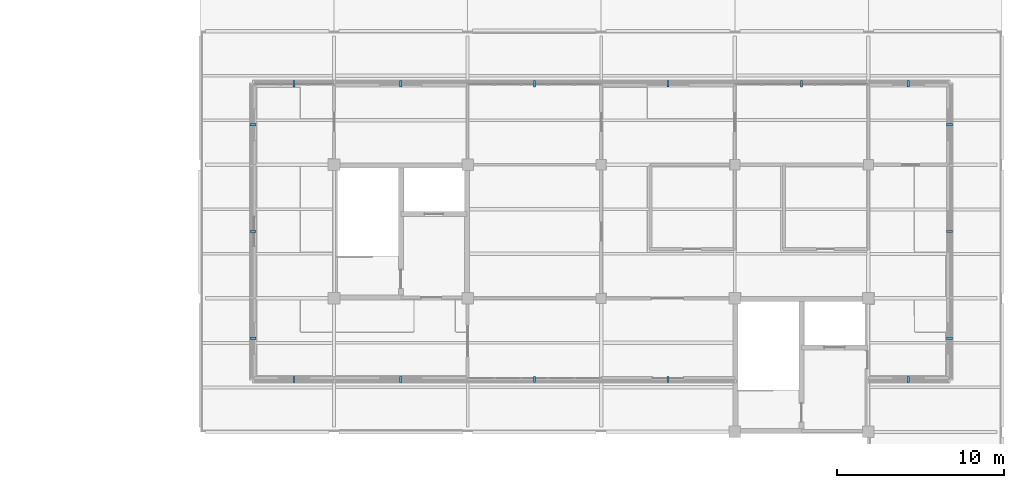
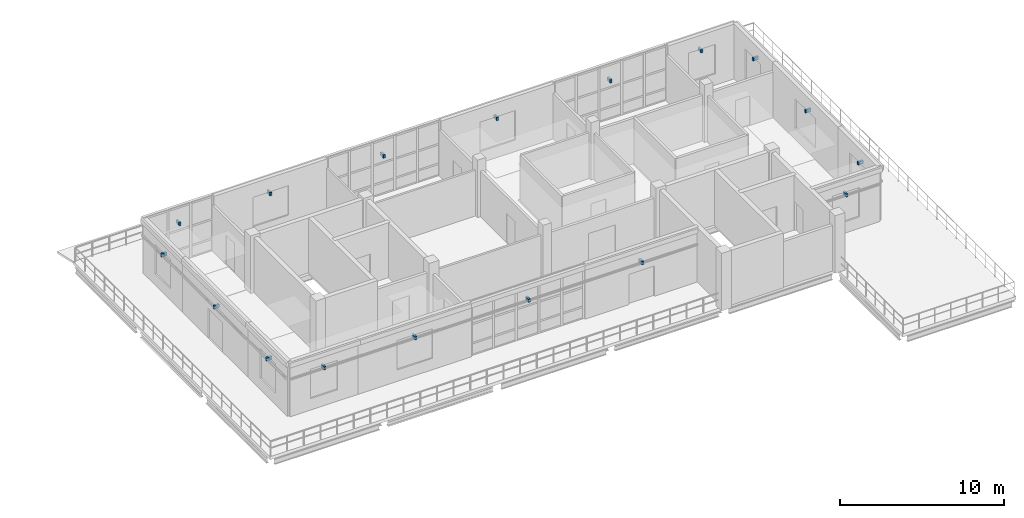
# One storey, part 20 of 24: 17 discrete accessories.
"""IFC4 building model written with IfcOpenShell, lengths in metres."""

from ifc_helpers import new_model, si_unit, derived_unit, direction, frame, origin, origin_2d, place, context, subcontext, project, spatial, rectangle, extrude, material, type_object, element, save


model = new_model("IFC4")

# Units and contexts
model_context = context("Model", 3, precision=1e-05, world=origin(), true_north=direction((0.0, 1.0)))
body_context = subcontext(model_context, "Body", "Model", "MODEL_VIEW")
ifc_project = project(units=[si_unit("LENGTHUNIT", "METRE"), si_unit("AREAUNIT", "SQUARE_METRE"), si_unit("VOLUMEUNIT", "CUBIC_METRE"), si_unit("PLANEANGLEUNIT", "RADIAN"), si_unit("MASSUNIT", "GRAM", prefix="KILO"), derived_unit("THERMALTRANSMITTANCEUNIT", [(si_unit("MASSUNIT", "GRAM", prefix="KILO"), 1), (si_unit("TIMEUNIT", "SECOND"), -3), (si_unit("THERMODYNAMICTEMPERATUREUNIT", "KELVIN"), -1)])], contexts=[model_context])

# Site, building, storey
site_placement = place(None, origin())
site = spatial("IfcSite", under=ifc_project, at=site_placement, CompositionType="ELEMENT")
building_placement = place(site_placement, origin())
building = spatial("IfcBuilding", under=site, at=building_placement, Name="Veyamyaing Civic Hall", CompositionType="ELEMENT")
storey_placement = place(building_placement, frame((0.0, 0.0, 25.739990234375)))
storey = spatial("IfcBuildingStorey", under=building, at=storey_placement, Name="L06", CompositionType="ELEMENT", Elevation=25.739990234375)

# Discrete accessories
ifc_material = material(Name="Steel S355J2", Category="steel")
discrete_accessory_type = type_object("IfcDiscreteAccessoryType", Name="BK-01", PredefinedType="BRACKET", material=ifc_material)
for number, where, z_axis, x_axis, name in (
    (1, (133.60009765625, 91.139892578125, 2.72998046875), (0.0, 0.0, 1.0), (0.0, -1.0, 0.0), "Ribbon bracket BK-01 L06-NE-S-0"),
    (2, (140.0, 91.139892578125, 2.72998046875), (0.0, 0.0, 1.0), (0.0, -1.0, 0.0), "Ribbon bracket BK-01 L06-NE-S-1"),
    (3, (148.0, 91.139892578125, 2.72998046875), (0.0, 0.0, 1.0), (0.0, -1.0, 0.0), "Ribbon bracket BK-01 L06-NE-S-2"),
    (4, (156.0, 91.139892578125, 2.72998046875), (0.0, 0.0, 1.0), (0.0, -1.0, 0.0), "Ribbon bracket BK-01 L06-NE-S-3"),
    (5, (170.39990234375, 91.139892578125, 2.72998046875), (0.0, 0.0, 1.0), (0.0, -1.0, 0.0), "Ribbon bracket BK-01 L06-NE-S-5"),
    (6, (133.60009765625, 108.860107421875, 2.72998046875), (0.0, 0.0, 1.0), (0.0, 1.0, 0.0), "Ribbon bracket BK-01 L06-NE-N-0"),
    (7, (140.0, 108.860107421875, 2.72998046875), (0.0, 0.0, 1.0), (0.0, 1.0, 0.0), "Ribbon bracket BK-01 L06-NE-N-1"),
    (8, (148.0, 108.860107421875, 2.72998046875), (0.0, 0.0, 1.0), (0.0, 1.0, 0.0), "Ribbon bracket BK-01 L06-NE-N-2"),
    (9, (156.0, 108.860107421875, 2.72998046875), (0.0, 0.0, 1.0), (0.0, 1.0, 0.0), "Ribbon bracket BK-01 L06-NE-N-3"),
    (10, (164.0, 108.860107421875, 2.72998046875), (0.0, 0.0, 1.0), (0.0, 1.0, 0.0), "Ribbon bracket BK-01 L06-NE-N-4"),
    (11, (170.39990234375, 108.860107421875, 2.72998046875), (0.0, 0.0, 1.0), (0.0, 1.0, 0.0), "Ribbon bracket BK-01 L06-NE-N-5"),
    (12, (131.139892578125, 93.60009765625, 2.72998046875), (0.0, 0.0, 1.0), (-1.0, 0.0, 0.0), "Ribbon bracket BK-01 L06-NE-W-0"),
    (13, (131.139892578125, 100.0, 2.72998046875), (0.0, 0.0, 1.0), (-1.0, 0.0, 0.0), "Ribbon bracket BK-01 L06-NE-W-1"),
    (14, (131.139892578125, 106.39990234375, 2.72998046875), (0.0, 0.0, 1.0), (-1.0, 0.0, 0.0), "Ribbon bracket BK-01 L06-NE-W-2"),
    (15, (172.860107421875, 93.60009765625, 2.72998046875), (0.0, 0.0, 1.0), (1.0, 0.0, 0.0), "Ribbon bracket BK-01 L06-NE-E-0"),
    (16, (172.860107421875, 100.0, 2.72998046875), (0.0, 0.0, 1.0), (1.0, 0.0, 0.0), "Ribbon bracket BK-01 L06-NE-E-1"),
    (17, (172.860107421875, 106.39990234375, 2.72998046875), (0.0, 0.0, 1.0), (1.0, 0.0, 0.0), "Ribbon bracket BK-01 L06-NE-E-2"),
):
    element("IfcDiscreteAccessory", number, at=place(storey_placement, frame(where, z_axis=z_axis, x_axis=x_axis)), inside=storey, type_object=discrete_accessory_type, Name=name, PredefinedType="BRACKET", context=body_context, shape_type="SweptSolid", body=[
        extrude(rectangle(XDim=0.3798828125, YDim=0.139892578125, at=origin_2d()), origin(), (0.0, 0.0, 1.0), 0.239990234375),
    ])

save(model, "model.ifc")
